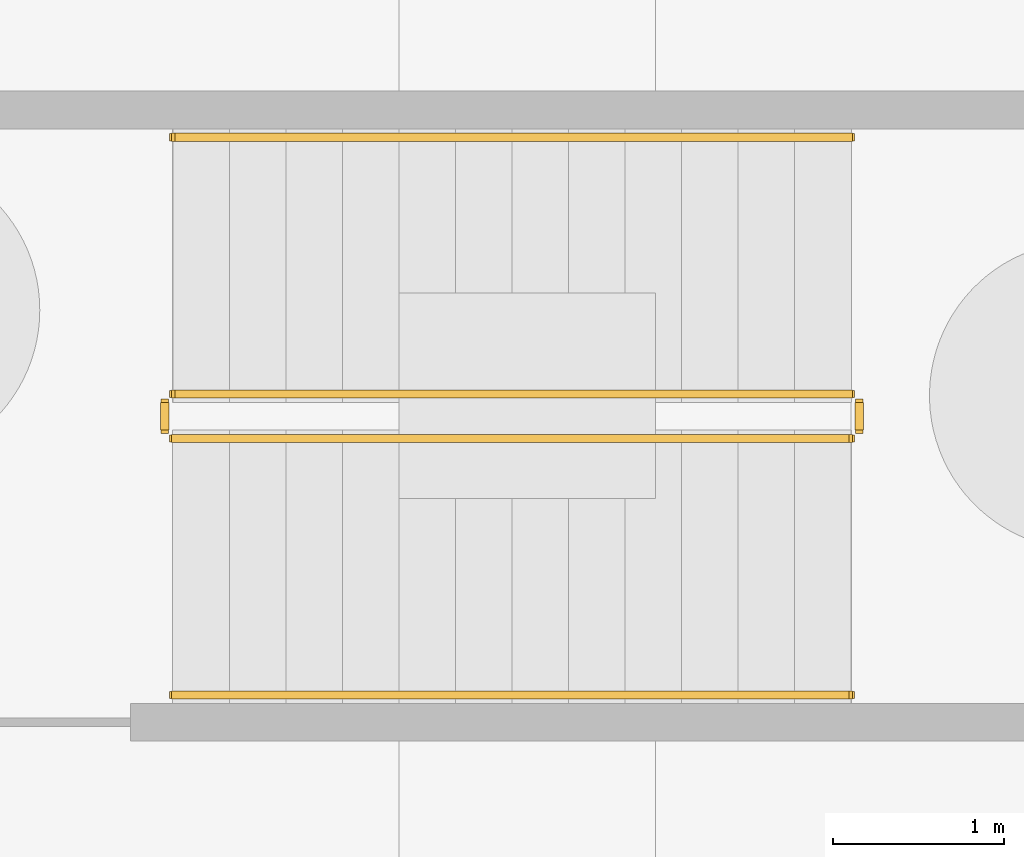
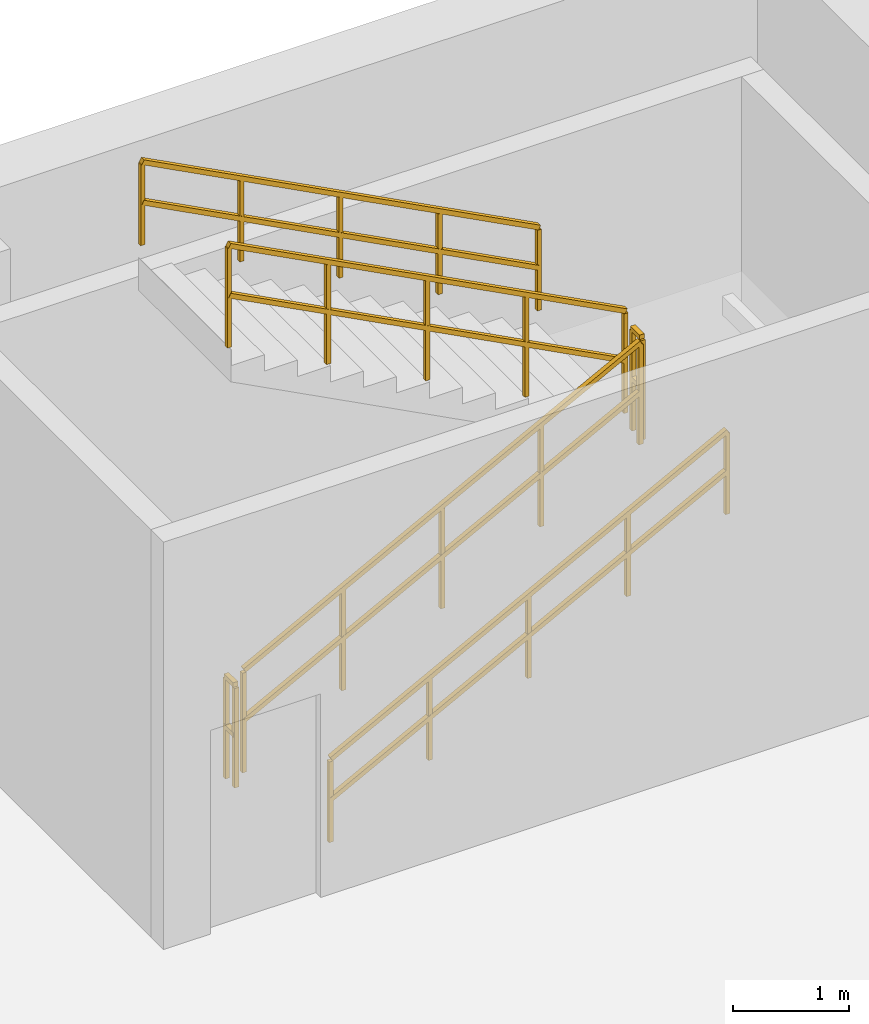
# One storey, part 8 of 9: 6 railings.
"""IFC4 building model written with IfcOpenShell, lengths in metres."""

from ifc_helpers import new_model, si_unit, direction, frame, origin, origin_2d, place, context, subcontext, project, spatial, rectangle, extrude, material, type_object, element, save


model = new_model("IFC4")

# Units and contexts
model_context = context("Model", 3, precision=1e-05, world=origin(), true_north=direction((0.0, 1.0)))
body_context = subcontext(model_context, "Body", "Model", "MODEL_VIEW")
ifc_project = project(units=[si_unit("LENGTHUNIT", "METRE"), si_unit("AREAUNIT", "SQUARE_METRE"), si_unit("VOLUMEUNIT", "CUBIC_METRE"), si_unit("PLANEANGLEUNIT", "RADIAN"), si_unit("MASSUNIT", "GRAM", prefix="KILO")], contexts=[model_context])

# Site, building, storey
site_placement = place(None, origin())
site = spatial("IfcSite", under=ifc_project, at=site_placement, CompositionType="ELEMENT")
building_placement = place(site_placement, origin())
building = spatial("IfcBuilding", under=site, at=building_placement, Name="Ocotamira Hotel", CompositionType="ELEMENT")
storey_placement = place(building_placement, frame((0.0, 0.0, -9.0)))
storey = spatial("IfcBuildingStorey", under=building, at=storey_placement, Name="B02", CompositionType="ELEMENT", Elevation=-9.0)

# Railings
ifc_material_1 = material(Name="Brushed stainless steel handrail", Category="steel")
railing_type_1 = type_object("IfcRailingType", Name="RL-HAND-900", PredefinedType="HANDRAIL", material=ifc_material_1)
railing_1_placement = place(storey_placement, frame((56.179931640625, 46.25, 0.34619140625)))
element("IfcRailing", 1, at=railing_1_placement, inside=storey, type_object=railing_type_1, Name="B02 ST-6 stair handrail 1", PredefinedType="HANDRAIL", context=body_context, shape_type="SweptSolid", body=[
    extrude(rectangle(XDim=0.048095703125, YDim=0.048095703125, at=origin_2d()), frame((0.0, 0.0, 0.8759765625), z_axis=(0.885588829464, 0.0, 0.464470047611), x_axis=(0.0, 1.0, 0.0)), (0.0, 0.0, 1.0), 4.471435546875),
    extrude(rectangle(XDim=0.048095703125, YDim=0.048095703125, at=origin_2d()), frame((0.0, 0.0, 0.449951171875), z_axis=(0.885588829464, 0.0, 0.464470047611), x_axis=(0.0, 1.0, 0.0)), (0.0, 0.0, 1.0), 4.471435546875),
    extrude(rectangle(XDim=0.0419921875, YDim=0.0419921875, at=origin_2d()), origin(), (0.0, 0.0, 1.0), 0.851806640625),
    extrude(rectangle(XDim=0.0419921875, YDim=0.0419921875, at=origin_2d()), frame((0.989990234375, 0.0, 0.519287109375)), (0.0, 0.0, 1.0), 0.851806640625),
    extrude(rectangle(XDim=0.0419921875, YDim=0.0419921875, at=origin_2d()), frame((1.97998046875, 0.0, 1.03857421875)), (0.0, 0.0, 1.0), 0.851806640625),
    extrude(rectangle(XDim=0.0419921875, YDim=0.0419921875, at=origin_2d()), frame((2.969970703125, 0.0, 1.5576171875)), (0.0, 0.0, 1.0), 0.851806640625),
    extrude(rectangle(XDim=0.0419921875, YDim=0.0419921875, at=origin_2d()), frame((3.9599609375, 0.0, 2.076904296875)), (0.0, 0.0, 1.0), 0.851806640625),
])
railing_2_placement = place(storey_placement, frame((60.139892578125, 49.510009765625, 2.59619140625)))
element("IfcRailing", 2, at=railing_2_placement, inside=storey, type_object=railing_type_1, Name="B02 ST-6 stair handrail 2", PredefinedType="HANDRAIL", context=body_context, shape_type="SweptSolid", body=[
    extrude(rectangle(XDim=0.048095703125, YDim=0.048095703125, at=origin_2d()), frame((0.0, 0.0, 0.8759765625), z_axis=(-0.885588829464, 0.0, 0.464470047611), x_axis=(0.0, -1.0, 0.0)), (0.0, 0.0, 1.0), 4.471435546875),
    extrude(rectangle(XDim=0.048095703125, YDim=0.048095703125, at=origin_2d()), frame((0.0, 0.0, 0.449951171875), z_axis=(-0.885588829464, 0.0, 0.464470047611), x_axis=(0.0, -1.0, 0.0)), (0.0, 0.0, 1.0), 4.471435546875),
    extrude(rectangle(XDim=0.0419921875, YDim=0.0419921875, at=origin_2d()), origin(), (0.0, 0.0, 1.0), 0.851806640625),
    extrude(rectangle(XDim=0.0419921875, YDim=0.0419921875, at=origin_2d()), frame((-0.989990234375, 0.0, 0.519287109375)), (0.0, 0.0, 1.0), 0.851806640625),
    extrude(rectangle(XDim=0.0419921875, YDim=0.0419921875, at=origin_2d()), frame((-1.97998046875, 0.0, 1.03857421875)), (0.0, 0.0, 1.0), 0.851806640625),
    extrude(rectangle(XDim=0.0419921875, YDim=0.0419921875, at=origin_2d()), frame((-2.969970703125, 0.0, 1.5576171875)), (0.0, 0.0, 1.0), 0.851806640625),
    extrude(rectangle(XDim=0.0419921875, YDim=0.0419921875, at=origin_2d()), frame((-3.9599609375, 0.0, 2.076904296875)), (0.0, 0.0, 1.0), 0.851806640625),
])
ifc_material_2 = material(Name="Painted steel stair guardrail", Category="steel")
railing_type_2 = type_object("IfcRailingType", Name="RL-STAIR-1100", PredefinedType="GUARDRAIL", material=ifc_material_2)
railing_3_placement = place(storey_placement, frame((56.179931640625, 47.75, 0.173095703125)))
element("IfcRailing", 3, at=railing_3_placement, inside=storey, type_object=railing_type_2, Name="B02 ST-6 stair guard 1", PredefinedType="GUARDRAIL", context=body_context, shape_type="SweptSolid", body=[
    extrude(rectangle(XDim=0.048095703125, YDim=0.048095703125, at=origin_2d()), frame((0.0, 0.0, 1.076171875), z_axis=(0.885588829464, 0.0, 0.464470047611), x_axis=(0.0, 1.0, 0.0)), (0.0, 0.0, 1.0), 4.471435546875),
    extrude(rectangle(XDim=0.048095703125, YDim=0.048095703125, at=origin_2d()), frame((0.0, 0.0, 0.550048828125), z_axis=(0.885588829464, 0.0, 0.464470047611), x_axis=(0.0, 1.0, 0.0)), (0.0, 0.0, 1.0), 4.471435546875),
    extrude(rectangle(XDim=0.0419921875, YDim=0.0419921875, at=origin_2d()), origin(), (0.0, 0.0, 1.0), 1.052001953125),
    extrude(rectangle(XDim=0.0419921875, YDim=0.0419921875, at=origin_2d()), frame((0.989990234375, 0.0, 0.519287109375)), (0.0, 0.0, 1.0), 1.052001953125),
    extrude(rectangle(XDim=0.0419921875, YDim=0.0419921875, at=origin_2d()), frame((1.97998046875, 0.0, 1.03857421875)), (0.0, 0.0, 1.0), 1.052001953125),
    extrude(rectangle(XDim=0.0419921875, YDim=0.0419921875, at=origin_2d()), frame((2.969970703125, 0.0, 1.5576171875)), (0.0, 0.0, 1.0), 1.052001953125),
    extrude(rectangle(XDim=0.0419921875, YDim=0.0419921875, at=origin_2d()), frame((3.9599609375, 0.0, 2.076904296875)), (0.0, 0.0, 1.0), 1.052001953125),
])
railing_4_placement = place(storey_placement, frame((60.18994140625, 47.800048828125, 2.25)))
element("IfcRailing", 4, at=railing_4_placement, inside=storey, type_object=railing_type_2, Name="B02 ST-6 stair guard 2", PredefinedType="GUARDRAIL", context=body_context, shape_type="SweptSolid", body=[
    extrude(rectangle(XDim=0.048095703125, YDim=0.048095703125, at=origin_2d()), frame((0.0, 0.0, 1.076171875), z_axis=(0.0, 1.0, 0.0), x_axis=(-1.0, 0.0, 0.0)), (0.0, 0.0, 1.0), 0.159912109375),
    extrude(rectangle(XDim=0.048095703125, YDim=0.048095703125, at=origin_2d()), frame((0.0, 0.0, 0.550048828125), z_axis=(0.0, 1.0, 0.0), x_axis=(-1.0, 0.0, 0.0)), (0.0, 0.0, 1.0), 0.159912109375),
    extrude(rectangle(XDim=0.0419921875, YDim=0.0419921875, at=origin_2d()), origin(), (0.0, 0.0, 1.0), 1.052001953125),
    extrude(rectangle(XDim=0.0419921875, YDim=0.0419921875, at=origin_2d()), frame((0.0, 0.159912109375, 0.0)), (0.0, 0.0, 1.0), 1.052001953125),
])
railing_5_placement = place(storey_placement, frame((60.139892578125, 48.010009765625, 2.423095703125)))
element("IfcRailing", 5, at=railing_5_placement, inside=storey, type_object=railing_type_2, Name="B02 ST-6 stair guard 3", PredefinedType="GUARDRAIL", context=body_context, shape_type="SweptSolid", body=[
    extrude(rectangle(XDim=0.048095703125, YDim=0.048095703125, at=origin_2d()), frame((0.0, 0.0, 1.076171875), z_axis=(-0.885588829464, 0.0, 0.464470047611), x_axis=(0.0, -1.0, 0.0)), (0.0, 0.0, 1.0), 4.471435546875),
    extrude(rectangle(XDim=0.048095703125, YDim=0.048095703125, at=origin_2d()), frame((0.0, 0.0, 0.550048828125), z_axis=(-0.885588829464, 0.0, 0.464470047611), x_axis=(0.0, -1.0, 0.0)), (0.0, 0.0, 1.0), 4.471435546875),
    extrude(rectangle(XDim=0.0419921875, YDim=0.0419921875, at=origin_2d()), origin(), (0.0, 0.0, 1.0), 1.052001953125),
    extrude(rectangle(XDim=0.0419921875, YDim=0.0419921875, at=origin_2d()), frame((-0.989990234375, 0.0, 0.519287109375)), (0.0, 0.0, 1.0), 1.052001953125),
    extrude(rectangle(XDim=0.0419921875, YDim=0.0419921875, at=origin_2d()), frame((-1.97998046875, 0.0, 1.03857421875)), (0.0, 0.0, 1.0), 1.052001953125),
    extrude(rectangle(XDim=0.0419921875, YDim=0.0419921875, at=origin_2d()), frame((-2.969970703125, 0.0, 1.5576171875)), (0.0, 0.0, 1.0), 1.052001953125),
    extrude(rectangle(XDim=0.0419921875, YDim=0.0419921875, at=origin_2d()), frame((-3.9599609375, 0.0, 2.076904296875)), (0.0, 0.0, 1.0), 1.052001953125),
])
railing_6_placement = place(storey_placement, frame((56.1298828125, 47.800048828125, 0.0)))
element("IfcRailing", 6, at=railing_6_placement, inside=storey, type_object=railing_type_2, Name="B02 ST-6 stair guard 4", PredefinedType="GUARDRAIL", context=body_context, shape_type="SweptSolid", body=[
    extrude(rectangle(XDim=0.048095703125, YDim=0.048095703125, at=origin_2d()), frame((0.0, 0.0, 1.076171875), z_axis=(0.0, 1.0, 0.0), x_axis=(-1.0, 0.0, 0.0)), (0.0, 0.0, 1.0), 0.159912109375),
    extrude(rectangle(XDim=0.048095703125, YDim=0.048095703125, at=origin_2d()), frame((0.0, 0.0, 0.550048828125), z_axis=(0.0, 1.0, 0.0), x_axis=(-1.0, 0.0, 0.0)), (0.0, 0.0, 1.0), 0.159912109375),
    extrude(rectangle(XDim=0.0419921875, YDim=0.0419921875, at=origin_2d()), origin(), (0.0, 0.0, 1.0), 1.052001953125),
    extrude(rectangle(XDim=0.0419921875, YDim=0.0419921875, at=origin_2d()), frame((0.0, 0.159912109375, 0.0)), (0.0, 0.0, 1.0), 1.052001953125),
])

save(model, "model.ifc")
